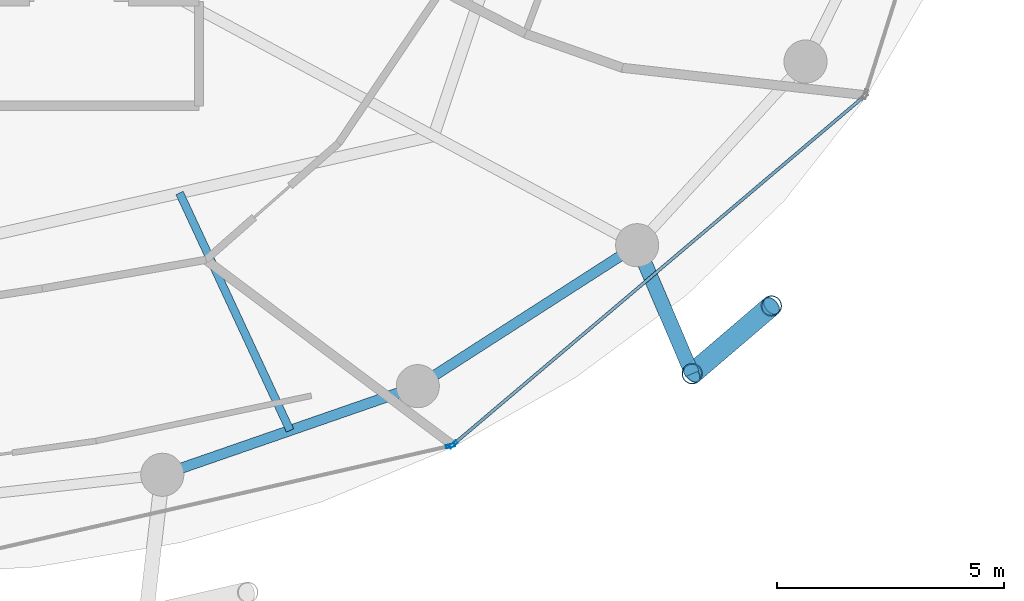
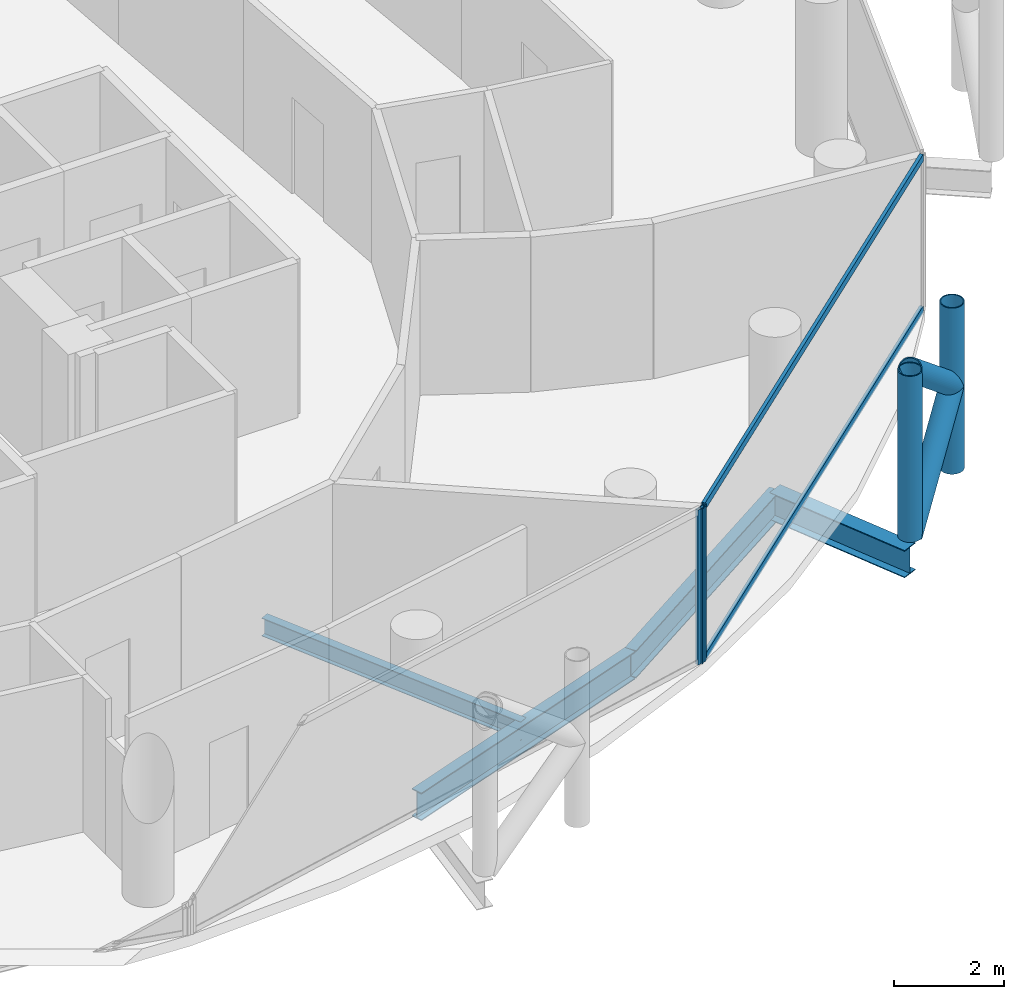
# One storey, part 8 of 26: 8 members, 4 beams, 2 elements without a shape of their own.
"""IFC4 building model written with IfcOpenShell, lengths in metres."""

from ifc_helpers import new_model, si_unit, direction, frame, origin, origin_2d, place, context, subcontext, project, spatial, hollow_rectangle, hollow_circle, i_section, extrude, material, layer, layer_set, material_profile, profile_set, type_object, element, aggregate, save


model = new_model("IFC4")

# Units and contexts
model_context = context("Model", 3, precision=1e-05, world=origin(), true_north=direction((0.0, 1.0)))
body_context = subcontext(model_context, "Body", "Model", "MODEL_VIEW")
ifc_project = project(units=[si_unit("LENGTHUNIT", "METRE"), si_unit("AREAUNIT", "SQUARE_METRE"), si_unit("VOLUMEUNIT", "CUBIC_METRE"), si_unit("PLANEANGLEUNIT", "RADIAN"), si_unit("MASSUNIT", "GRAM", prefix="KILO")], contexts=[model_context])

# Site, building, storey
site_placement = place(None, origin())
site = spatial("IfcSite", under=ifc_project, at=site_placement, CompositionType="ELEMENT")
building_placement = place(site_placement, origin())
building = spatial("IfcBuilding", under=site, at=building_placement, Name="Nuhasar Tower", CompositionType="ELEMENT")
storey_placement = place(building_placement, frame((0.0, 0.0, 136.75)))
storey = spatial("IfcBuildingStorey", under=building, at=storey_placement, Name="L32", CompositionType="ELEMENT", Elevation=136.75)

# Beams
ifc_material_1 = material(Name="Steel S355", Category="steel")
ifc_material_profile_1 = material_profile(ifc_material_1, i_section(OverallWidth=0.177978515625, OverallDepth=0.406005859375, WebThickness=0.0078125, FlangeThickness=0.0126953125, at=origin_2d()), Name="W16X40")
ifc_profile_set_1 = profile_set([ifc_material_profile_1], Name="Steel S355")
beam_type_1 = type_object("IfcBeamType", Name="BM-JST-W16X40", PredefinedType="JOIST", material=ifc_profile_set_1)
beam_1_placement = place(storey_placement, frame((45.424072265625, 14.1279296875, -0.452880859375), z_axis=(0.421729941201, -0.906721487941, 0.0), x_axis=(0.906721487941, 0.421729941201, 0.0)))
element("IfcBeam", 1, at=beam_1_placement, inside=storey, type_object=beam_type_1, Name="L32 Secondary Floor Joist 02", PredefinedType="JOIST", context=body_context, shape_type="SweptSolid", body=[
    extrude(i_section(OverallWidth=0.177978515625, OverallDepth=0.406005859375, WebThickness=0.0078125, FlangeThickness=0.0126953125, at=origin_2d()), origin(), (0.0, 0.0, 1.0), 5.7734375),
])
ifc_material_profile_2 = material_profile(ifc_material_1, i_section(OverallWidth=0.22998046875, OverallDepth=0.616943359375, WebThickness=0.01318359375, FlangeThickness=0.022216796875, at=origin_2d()), Name="W24X94")
ifc_profile_set_2 = profile_set([ifc_material_profile_2], Name="Steel S355")
beam_type_2 = type_object("IfcBeamType", Name="BM-RING-W24X94", PredefinedType="SPANDREL", material=ifc_profile_set_2)
beam_2_placement = place(storey_placement, frame((45.04296875, 7.916015625, -0.55908203125), z_axis=(0.944814057608, 0.327607076458, 0.0), x_axis=(-0.327607076458, 0.944814057608, 0.0)))
element("IfcBeam", 2, at=beam_2_placement, inside=storey, type_object=beam_type_2, Name="L32 Perimeter Ring Spandrel 20", PredefinedType="SPANDREL", context=body_context, shape_type="SweptSolid", body=[
    extrude(i_section(OverallWidth=0.22998046875, OverallDepth=0.616943359375, WebThickness=0.01318359375, FlangeThickness=0.022216796875, at=origin_2d()), origin(), (0.0, 0.0, 1.0), 5.9609375),
])
beam_3_placement = place(storey_placement, frame((50.675048828125, 9.868896484375, -0.55908203125), z_axis=(0.841308170616, 0.540555789955, 0.0), x_axis=(-0.540555789955, 0.841308170616, 0.0)))
element("IfcBeam", 3, at=beam_3_placement, inside=storey, type_object=beam_type_2, Name="L32 Perimeter Ring Spandrel 21", PredefinedType="SPANDREL", context=body_context, shape_type="SweptSolid", body=[
    extrude(i_section(OverallWidth=0.22998046875, OverallDepth=0.616943359375, WebThickness=0.01318359375, FlangeThickness=0.022216796875, at=origin_2d()), origin(), (0.0, 0.0, 1.0), 5.748046875),
])
ifc_material_profile_3 = material_profile(ifc_material_1, i_section(OverallWidth=0.323974609375, OverallDepth=0.611083984375, WebThickness=0.0126953125, FlangeThickness=0.01904296875, at=origin_2d()), Name="W24X104")
ifc_profile_set_3 = profile_set([ifc_material_profile_3], Name="Steel S355")
beam_type_3 = type_object("IfcBeamType", Name="BM-TIE-W24X104", PredefinedType="BEAM", material=ifc_profile_set_3)
beam_4_placement = place(storey_placement, frame((55.510986328125, 12.97607421875, -0.554931640625), z_axis=(0.39330721304, -0.919407111225, 0.0), x_axis=(0.919407111225, 0.39330721304, 0.0)))
element("IfcBeam", 4, at=beam_4_placement, inside=storey, type_object=beam_type_3, Name="L32 Exoskeleton Node Tie Beam 11", PredefinedType="BEAM", context=body_context, shape_type="SweptSolid", body=[
    extrude(i_section(OverallWidth=0.323974609375, OverallDepth=0.611083984375, WebThickness=0.0126953125, FlangeThickness=0.01904296875, at=origin_2d()), origin(), (0.0, 0.0, 1.0), 3.081298828125),
])

# Curtain wall, member
ifc_material_2 = material(Name="Aluminium 6063-T6", Category="aluminium")
ifc_layer = layer(ifc_material_2, 0.199951171875)
ifc_layer_set = layer_set([ifc_layer], Name="Aluminium 6063-T6")
curtain_wall_type = type_object("IfcCurtainWallType", Name="CW-Z2-HTL", PredefinedType="NOTDEFINED", material=ifc_layer_set)
curtain_wall_1_placement = place(storey_placement, origin())
curtain_wall_1 = element("IfcCurtainWall", 5, at=curtain_wall_1_placement, inside=storey, type_object=curtain_wall_type, Name="L32 Unitised Curtain Wall 10", PredefinedType="NOTDEFINED")
ifc_material_profile_4 = material_profile(ifc_material_2, hollow_rectangle(XDim=0.070068359375, YDim=0.199951171875, WallThickness=0.0048828125, at=origin_2d()), Name="CWM-3")
ifc_profile_set_4 = profile_set([ifc_material_profile_4], Name="Aluminium 6063-T6")
member_type_1 = type_object("IfcMemberType", Name="CW-MUL-S3", PredefinedType="MULLION", material=ifc_profile_set_4)
member_1_placement = place(storey_placement, frame((51.395751953125, 8.55419921875, 0.0), z_axis=(0.0, 0.0, 1.0), x_axis=(-0.22139729566, 0.975183694221, 0.0)))
member_1 = element("IfcMember", 6, at=member_1_placement, type_object=member_type_1, Name="CW-Z2 mullion 2", PredefinedType="MULLION", context=body_context, shape_type="SweptSolid", body=[
    extrude(hollow_rectangle(XDim=0.070068359375, YDim=0.199951171875, WallThickness=0.0048828125, at=origin_2d()), origin(), (0.0, 0.0, 1.0), 3.449951171875),
])
aggregate(curtain_wall_1, [member_1])

# Curtain wall, members
curtain_wall_2_placement = place(storey_placement, origin())
curtain_wall_2 = element("IfcCurtainWall", 7, at=curtain_wall_2_placement, inside=storey, type_object=curtain_wall_type, Name="L32 Unitised Curtain Wall 11", PredefinedType="NOTDEFINED")
member_2_placement = place(storey_placement, frame((51.456787109375, 8.584716796875, 0.0), z_axis=(0.0, 0.0, 1.0), x_axis=(-0.646374438324, 0.763020370292, 0.0)))
member_2 = element("IfcMember", 8, at=member_2_placement, type_object=member_type_1, Name="CW-Z2 mullion 1", PredefinedType="MULLION", context=body_context, shape_type="SweptSolid", body=[
    extrude(hollow_rectangle(XDim=0.070068359375, YDim=0.199951171875, WallThickness=0.0048828125, at=origin_2d()), origin(), (0.0, 0.0, 1.0), 3.449951171875),
])
ifc_material_profile_5 = material_profile(ifc_material_2, hollow_rectangle(XDim=0.070068359375, YDim=0.159912109375, WallThickness=0.00439453125, at=origin_2d()), Name="CWT-3")
ifc_profile_set_5 = profile_set([ifc_material_profile_5], Name="Aluminium 6063-T6")
member_type_2 = type_object("IfcMemberType", Name="CW-TRN-S3", PredefinedType="USERDEFINED", material=ifc_profile_set_5)
member_3_placement = place(storey_placement, frame((51.4833984375, 8.607177734375, 0.034912109375), z_axis=(0.763013698099, 0.646382314511, 0.0), x_axis=(-0.646382314511, 0.763013698099, 0.0)))
member_3 = element("IfcMember", 9, at=member_3_placement, type_object=member_type_2, Name="CW-Z2 transom 1.1", ObjectType="TRANSOM", PredefinedType="USERDEFINED", context=body_context, shape_type="SweptSolid", body=[
    extrude(hollow_rectangle(XDim=0.070068359375, YDim=0.159912109375, WallThickness=0.00439453125, at=origin_2d()), origin(), (0.0, 0.0, 1.0), 11.78515625),
])
member_4_placement = place(storey_placement, frame((51.4833984375, 8.607177734375, 3.4150390625), z_axis=(0.763013698099, 0.646382314511, 0.0), x_axis=(-0.646382314511, 0.763013698099, 0.0)))
member_4 = element("IfcMember", 10, at=member_4_placement, type_object=member_type_2, Name="CW-Z2 transom 1.2", ObjectType="TRANSOM", PredefinedType="USERDEFINED", context=body_context, shape_type="SweptSolid", body=[
    extrude(hollow_rectangle(XDim=0.070068359375, YDim=0.159912109375, WallThickness=0.00439453125, at=origin_2d()), origin(), (0.0, 0.0, 1.0), 11.78515625),
])
aggregate(curtain_wall_2, [member_2, member_3, member_4])

# Members
ifc_material_3 = material(Name="Steel S460", Category="steel")
ifc_material_profile_6 = material_profile(ifc_material_3, hollow_circle(Radius=0.228515625, WallThickness=0.022216796875, at=origin_2d()), Name="HSS457X22.2")
ifc_profile_set_6 = profile_set([ifc_material_profile_6], Name="Steel S460")
member_type_3 = type_object("IfcMemberType", Name="EXO-BRONZE-457", PredefinedType="BRACE", material=ifc_profile_set_6)
for number, where, z_axis, x_axis, name in (
    (11, (56.722900390625, 10.14306640625, 0.0), (0.0, 0.0, 1.0), (1.0, 0.0, 0.0), "L32 Exoskeleton Chord Column EC-11A"),
    (12, (58.470947265625, 11.637939453125, 0.0), (0.0, 0.0, 1.0), (1.0, 0.0, 0.0), "L32 Exoskeleton Chord Column EC-11B"),
):
    element("IfcMember", number, at=place(storey_placement, frame(where, z_axis=z_axis, x_axis=x_axis)), inside=storey, type_object=member_type_3, Name=name, PredefinedType="BRACE", context=body_context, shape_type="SweptSolid", body=[
        extrude(hollow_circle(Radius=0.228515625, WallThickness=0.022216796875, at=origin_2d()), origin(), (0.0, 0.0, 1.0), 3.699951171875),
    ])
member_5_placement = place(storey_placement, frame((56.722900390625, 10.14306640625, 0.0), z_axis=(0.592195175458, 0.506426125604, 0.626767463634), x_axis=(-0.649925557156, 0.7599978751, 0.0)))
element("IfcMember", 13, at=member_5_placement, inside=storey, type_object=member_type_3, Name="L32 Bronze Diagrid Brace W1-11", PredefinedType="BRACE", context=body_context, shape_type="SweptSolid", body=[
    extrude(hollow_circle(Radius=0.228515625, WallThickness=0.022216796875, at=origin_2d()), origin(), (0.0, 0.0, 1.0), 2.951904296875),
])
member_6_placement = place(storey_placement, frame((58.470947265625, 11.637939453125, 1.85009765625), z_axis=(-0.592225874743, -0.506452378638, 0.626717242029), x_axis=(0.649925557156, -0.7599978751, 0.0)))
element("IfcMember", 14, at=member_6_placement, inside=storey, type_object=member_type_3, Name="L32 Bronze Diagrid Brace W2-11", PredefinedType="BRACE", context=body_context, shape_type="SweptSolid", body=[
    extrude(hollow_circle(Radius=0.228515625, WallThickness=0.022216796875, at=origin_2d()), origin(), (0.0, 0.0, 1.0), 2.95166015625),
])

save(model, "model.ifc")
